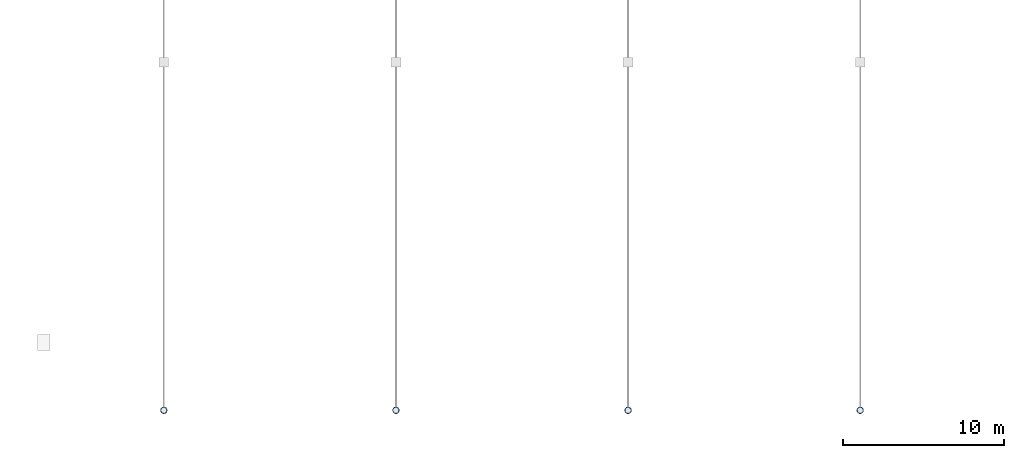
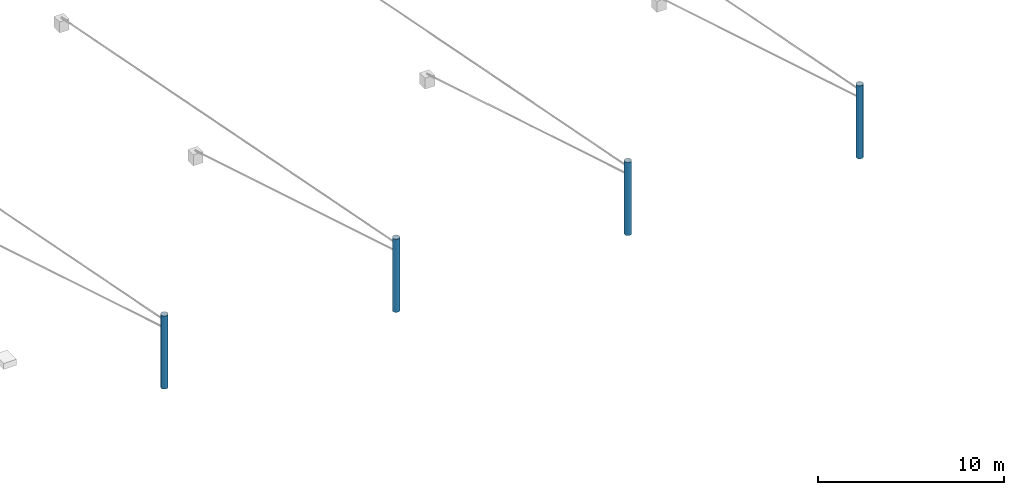
# One storey, part 4 of 68: 4 columns.
"""IFC4 building model written with IfcOpenShell, lengths in metres."""

from ifc_helpers import new_model, si_unit, direction, frame, origin, origin_2d, place, context, subcontext, project, spatial, hollow_circle, extrude, material, material_profile, profile_set, type_object, element, save


model = new_model("IFC4")

# Units and contexts
model_context = context("Model", 3, precision=1e-05, world=origin(), true_north=direction((0.0, 1.0)))
body_context = subcontext(model_context, "Body", "Model", "MODEL_VIEW")
ifc_project = project(units=[si_unit("LENGTHUNIT", "METRE"), si_unit("AREAUNIT", "SQUARE_METRE"), si_unit("VOLUMEUNIT", "CUBIC_METRE"), si_unit("PLANEANGLEUNIT", "RADIAN"), si_unit("MASSUNIT", "GRAM", prefix="KILO")], contexts=[model_context])

# Site, building, storey
site_placement = place(None, origin())
site = spatial("IfcSite", under=ifc_project, at=site_placement, CompositionType="ELEMENT")
building_placement = place(site_placement, origin())
building = spatial("IfcBuilding", under=site, at=building_placement, Name="Kupolbacken Congress Centre", CompositionType="ELEMENT")
storey_placement = place(building_placement, frame((0.0, 0.0, 25.199951171875)))
storey = spatial("IfcBuildingStorey", under=building, at=storey_placement, Name="L07", CompositionType="ELEMENT", Elevation=25.199951171875)

# Columns
ifc_material = material(Name="Steel S355", Category="steel")
ifc_material_profile = material_profile(ifc_material, hollow_circle(Radius=0.203125, WallThickness=0.01611328125, at=origin_2d()), Name="CHS 406.4 x 16")
ifc_profile_set = profile_set([ifc_material_profile], Name="Steel S355")
column_type = type_object("IfcColumnType", Name="C15 roof mast CHS 406.4 x 16", PredefinedType="COLUMN", material=ifc_profile_set)
for number, where, z_axis, x_axis, name in (
    (1, (93.60009765625, 39.60009765625, 0.0), (0.0, 0.0, 1.0), (1.0, 0.0, 0.0), "Roof mast M1S"),
    (2, (108.0, 39.60009765625, 0.0), (0.0, 0.0, 1.0), (1.0, 0.0, 0.0), "Roof mast M2S"),
    (3, (122.39990234375, 39.60009765625, 0.0), (0.0, 0.0, 1.0), (1.0, 0.0, 0.0), "Roof mast M3S"),
    (4, (136.800048828125, 39.60009765625, 0.0), (0.0, 0.0, 1.0), (1.0, 0.0, 0.0), "Roof mast M4S"),
):
    element("IfcColumn", number, at=place(storey_placement, frame(where, z_axis=z_axis, x_axis=x_axis)), inside=storey, type_object=column_type, Name=name, PredefinedType="COLUMN", context=body_context, shape_type="SweptSolid", body=[
        extrude(hollow_circle(Radius=0.203125, WallThickness=0.01611328125, at=origin_2d()), origin(), (0.0, 0.0, 1.0), 4.800048828125),
    ])

save(model, "model.ifc")
